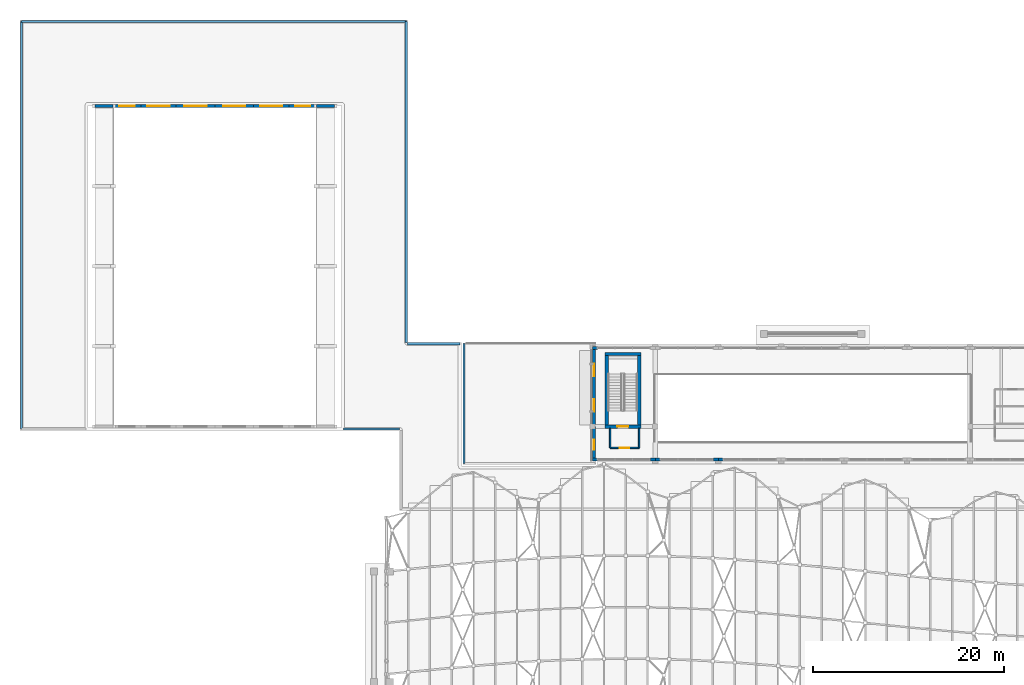
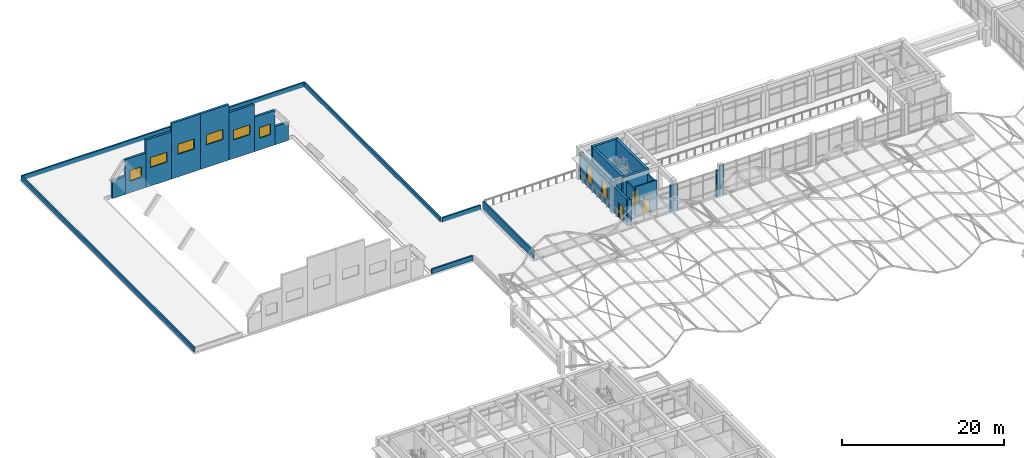
# One storey, part 55 of 79: 29 walls, 8 windows, 3 doors, 11 openings.
"""IFC4 building model written with IfcOpenShell, lengths in metres."""

import ifcopenshell
import ifcopenshell.guid

model = None  # the IFC model being written
_history = None  # IfcOwnerHistory: only IFC2X3 demands one
_inside = {}  # id of a spatial element -> (the spatial element, [elements in it])
_under = {}  # id of a project, library or spatial element -> (it, [spatial elements below it])
_declared = {}  # id of a project -> (the project, [libraries it declares])
_typed = {}  # id of a type object -> (the type object, [elements of that type])
_made_of = {}  # id of a material, layer set ... -> (it, [elements and type objects made of it])


def new_model(schema):
    """Start an empty IFC model of exactly this schema.

    Asked for "IFC4X3", IfcOpenShell would pick the latest addendum, in which some entities
    have other attributes; the version numbers below select the first issue.
    IFC2X3 requires an IfcOwnerHistory on every rooted entity: one is made here for all.
    """
    global model, _history
    if schema == "IFC4X3":
        model = ifcopenshell.file(schema_version=(4, 3, 0, 0))
    else:
        model = ifcopenshell.file(schema=schema)
    _inside.clear()
    _under.clear()
    _declared.clear()
    _typed.clear()
    _made_of.clear()
    _history = None
    if model.schema == "IFC2X3":
        org = make("IfcOrganization", Name="unknown")
        user = make(
            "IfcPersonAndOrganization",
            ThePerson=make("IfcPerson", FamilyName="unknown"),
            TheOrganization=org,
        )
        app = make(
            "IfcApplication",
            ApplicationDeveloper=org,
            Version="unknown",
            ApplicationFullName="unknown",
            ApplicationIdentifier="unknown",
        )
        _history = make(
            "IfcOwnerHistory",
            OwningUser=user,
            OwningApplication=app,
            ChangeAction="ADDED",
            CreationDate=0,
        )
    return model


def make(cls, **values):
    """One entity of the class cls with the attributes given. An attribute that is None is left unset."""
    return model.create_entity(
        cls, **{name: value for name, value in values.items() if value is not None}
    )


def rooted(cls, **values):
    """An entity with a GlobalId (a new one), such as an element, a storey or a relation."""
    return make(cls, GlobalId=ifcopenshell.guid.new(), OwnerHistory=_history, **values)


def si_unit(unit_type, name, prefix=None):
    """IfcSIUnit, for example si_unit("LENGTHUNIT", "METRE", prefix="MILLI")."""
    return make("IfcSIUnit", UnitType=unit_type, Prefix=prefix, Name=name)


def assignment(units):
    """IfcUnitAssignment: the units of a project."""
    return None if units is None else make("IfcUnitAssignment", Units=units)


def point(xyz):
    """IfcCartesianPoint."""
    return None if xyz is None else make("IfcCartesianPoint", Coordinates=xyz)


def direction(xyz):
    """IfcDirection."""
    return None if xyz is None else make("IfcDirection", DirectionRatios=xyz)


def frame(location, z_axis=None, x_axis=None):
    """IfcAxis2Placement3D, a coordinate frame: its origin and axes. An axis left out is left unset."""
    return make(
        "IfcAxis2Placement3D",
        Location=point(location),
        Axis=direction(z_axis),
        RefDirection=direction(x_axis),
    )


def frame_2d(location, x_axis=None):
    """IfcAxis2Placement2D, a coordinate frame in the plane: its origin and x axis."""
    return make(
        "IfcAxis2Placement2D", Location=point(location), RefDirection=direction(x_axis)
    )


def origin():
    """The frame at (0, 0, 0) with its axes left unset."""
    return frame((0.0, 0.0, 0.0))


def place(relative_to, where):
    """IfcLocalPlacement: puts the frame where relative to a parent placement (None: the world)."""
    return make(
        "IfcLocalPlacement", PlacementRelTo=relative_to, RelativePlacement=where
    )


def context(
    kind, dimensions, precision=None, world=None, true_north=None, identifier=None
):
    """IfcGeometricRepresentationContext, for example the 3D "Model" context."""
    return make(
        "IfcGeometricRepresentationContext",
        ContextIdentifier=identifier,
        ContextType=kind,
        CoordinateSpaceDimension=dimensions,
        Precision=precision,
        WorldCoordinateSystem=world,
        TrueNorth=true_north,
    )


def subcontext(parent, identifier, kind, view, scale=None):
    """IfcGeometricRepresentationSubContext, for example "Body" below "Model"."""
    return make(
        "IfcGeometricRepresentationSubContext",
        ContextIdentifier=identifier,
        ContextType=kind,
        ParentContext=parent,
        TargetScale=scale,
        TargetView=view,
    )


def project(units=None, contexts=None):
    """IfcProject with its units and contexts."""
    return rooted(
        "IfcProject",
        Name="project",
        RepresentationContexts=contexts,
        UnitsInContext=assignment(units),
    )


def spatial(cls, under=None, at=None, **own):
    """A site, building, storey or space (cls), placed at a placement, below another one or the project."""
    s = rooted(cls, ObjectPlacement=at, **own)
    if under is not None:
        _under.setdefault(under.id(), (under, []))[1].append(s)
    return s


def profile(cls, at=None, kind="AREA", **sizes):
    """A parametric profile (cls). Its sizes go by their IFC names, for example OverallWidth=200.0."""
    return make(cls, ProfileType=kind, Position=at, **sizes)


def rectangle(**sizes):
    """IfcRectangleProfileDef."""
    return profile("IfcRectangleProfileDef", **sizes)


def extrude(swept, where, along, depth):
    """IfcExtrudedAreaSolid: the profile swept, set in the frame where, extruded along a direction by depth."""
    return make(
        "IfcExtrudedAreaSolid",
        SweptArea=swept,
        Position=where,
        ExtrudedDirection=direction(along),
        Depth=depth,
    )


def shape(context_of_items, identifier, shape_type, items):
    """IfcShapeRepresentation: the items that make up one representation, for example the "Body"."""
    return make(
        "IfcShapeRepresentation",
        ContextOfItems=context_of_items,
        RepresentationIdentifier=identifier,
        RepresentationType=shape_type,
        Items=items,
    )


def material(Name=None, Category=None):
    """IfcMaterial."""
    return make("IfcMaterial", Name=Name, Category=Category)


def layer(
    of_material, thickness, ventilated=None, Name=None, Category=None, Priority=None
):
    """IfcMaterialLayer: one layer of a wall or slab, of a material (None: an air gap)."""
    return make(
        "IfcMaterialLayer",
        Material=of_material,
        LayerThickness=thickness,
        IsVentilated=ventilated,
        Name=Name,
        Category=Category,
        Priority=Priority,
    )


def layer_set(layers, Name=None):
    """IfcMaterialLayerSet."""
    return make("IfcMaterialLayerSet", MaterialLayers=layers, LayerSetName=Name)


def made_of(thing, what):
    """Note that an element or type object is made of a material, layer set ...; save() writes the relation."""
    if what is not None:
        _made_of.setdefault(what.id(), (what, []))[1].append(thing)
    return thing


def type_object(cls, material=None, **own):
    """A type object (cls), such as IfcWallType, which elements share."""
    return made_of(rooted(cls, **own), material)


def element(
    cls,
    number,
    at=None,
    inside=None,
    cuts=None,
    type_object=None,
    material=None,
    context=None,
    identifier="Body",
    shape_type=None,
    held_by="IfcProductDefinitionShape",
    body=None,
    shapes=None,
    **own,
):
    """One element of the class cls, such as IfcWall. Its Tag is "e" and its number.

    at: its placement. inside: the storey or other place that contains it. cuts: it is an
    opening in that element (IfcRelVoidsElement). A single representation is given by context,
    identifier, shape_type and body (its items); several are given by shapes. held_by: the class
    of the entity that holds the representations. save() writes the other relations.
    """
    e = rooted(cls, Tag="e%d" % number, ObjectPlacement=at, **own)
    if body is not None:
        shapes = [shape(context, identifier, shape_type, body)]
    if shapes is not None:
        e.Representation = make(held_by, Representations=shapes)
    if inside is not None:
        _inside.setdefault(inside.id(), (inside, []))[1].append(e)
    if cuts is not None:
        rooted(
            "IfcRelVoidsElement", RelatingBuildingElement=cuts, RelatedOpeningElement=e
        )
    if type_object is not None:
        _typed.setdefault(type_object.id(), (type_object, []))[1].append(e)
    return made_of(e, material)


def fill(opening, filler):
    """IfcRelFillsElement: the door or window that sits in an opening."""
    return rooted(
        "IfcRelFillsElement",
        RelatingOpeningElement=opening,
        RelatedBuildingElement=filler,
    )


def aggregate(whole, parts):
    """IfcRelAggregates: a whole, such as a stair, and the parts it consists of."""
    return rooted("IfcRelAggregates", RelatingObject=whole, RelatedObjects=parts)


def save(model, path):
    """Write the relations noted so far, then the file.

    IfcRelAggregates (storeys below a building ...), IfcRelContainedInSpatialStructure (elements
    in a storey), IfcRelDefinesByType, IfcRelAssociatesMaterial and IfcRelDeclares: one each for
    every whole, place, type object, material and project.
    """
    for whole, parts in _under.values():
        aggregate(whole, parts)
    for where, things in _inside.values():
        rooted(
            "IfcRelContainedInSpatialStructure",
            RelatedElements=things,
            RelatingStructure=where,
        )
    for kind, things in _typed.values():
        rooted("IfcRelDefinesByType", RelatedObjects=things, RelatingType=kind)
    for what, things in _made_of.values():
        rooted("IfcRelAssociatesMaterial", RelatedObjects=things, RelatingMaterial=what)
    for by, libraries in _declared.values():
        rooted("IfcRelDeclares", RelatingContext=by, RelatedDefinitions=libraries)
    model.write(path)


model = new_model("IFC4")

# Units and contexts
model_context = context("Model", 3, precision=1e-05, world=origin(), true_north=direction((0.0, 1.0)))
body_context = subcontext(model_context, "Body", "Model", "MODEL_VIEW")
ifc_project = project(units=[si_unit("LENGTHUNIT", "METRE"), si_unit("AREAUNIT", "SQUARE_METRE"), si_unit("VOLUMEUNIT", "CUBIC_METRE"), si_unit("PLANEANGLEUNIT", "RADIAN"), si_unit("MASSUNIT", "GRAM", prefix="KILO")], contexts=[model_context])

# Site, building, storey
site_placement = place(None, origin())
site = spatial("IfcSite", under=ifc_project, at=site_placement, CompositionType="ELEMENT")
building_placement = place(site_placement, origin())
building = spatial("IfcBuilding", under=site, at=building_placement, Name="Kolvaren Faculty of Natural Sciences", CompositionType="ELEMENT")
storey_placement = place(building_placement, frame((0.0, 0.0, 10.199951171875)))
storey = spatial("IfcBuildingStorey", under=building, at=storey_placement, Name="L02", CompositionType="ELEMENT", Elevation=10.199951171875)

# Wall, opening, door
ifc_material_1 = material(Name="Concrete C40/50", Category="concrete")
ifc_layer_1 = layer(ifc_material_1, 0.35009765625)
ifc_layer_set_1 = layer_set([ifc_layer_1], Name="Concrete C40/50")
wall_type_1 = type_object("IfcWallType", Name="CoreShearWall_350", PredefinedType="SHEAR", material=ifc_layer_set_1)
wall_1_placement = place(storey_placement, frame((60.925048828125, 75.77490234375, 0.0), z_axis=(0.0, 0.0, 1.0), x_axis=(1.0, 0.0, 0.0)))
wall_1 = element("IfcWall", 1, at=wall_1_placement, inside=storey, type_object=wall_type_1, Name="L02 CORE-C6 stair shear wall S", PredefinedType="SHEAR", context=body_context, shape_type="SweptSolid", body=[
    extrude(rectangle(XDim=3.75, YDim=0.35009765625, at=frame_2d((1.875, 0.0))), origin(), (0.0, 0.0, 1.0), 4.800048828125),
])
opening_1_placement = place(wall_1_placement, frame((1.300048828125, 0.0, 0.0)))
opening_1 = element("IfcOpeningElement", 2, at=opening_1_placement, cuts=wall_1, Name="Opening FD90", PredefinedType="OPENING", context=body_context, shape_type="SweptSolid", body=[
    extrude(rectangle(XDim=1.14990234375, YDim=2.14990234375, at=frame_2d((0.574951171875, 1.074951171875))), frame((0.0, 0.18505859375, 0.0), z_axis=(0.0, -1.0, 0.0), x_axis=(1.0, 0.0, 0.0)), (0.0, 0.0, 1.0), 0.3701171875),
])
ifc_material_2 = material(Name="Fire-rated solid-core hardwood door leaf in steel frame", Category="steel")
door_type_1 = type_object("IfcDoorType", Name="StairCoreFireDoor_1150x2150", OperationType="NOTDEFINED", PredefinedType="DOOR", material=ifc_material_2)
door_1_placement = place(opening_1_placement, origin())
door_1 = element("IfcDoor", 3, at=door_1_placement, inside=storey, type_object=door_type_1, Name="D-ST-ST-6-L02", OperationType="SINGLE_SWING_RIGHT", OverallHeight=2.14990234375, OverallWidth=1.14990234375, PredefinedType="DOOR", context=body_context, shape_type="SweptSolid", body=[
    extrude(rectangle(XDim=1.14990234375, YDim=2.14990234375, at=frame_2d((0.574951171875, 1.074951171875))), frame((0.0, 0.02490234375, 0.0), z_axis=(0.0, -1.0, 0.0), x_axis=(1.0, 0.0, 0.0)), (0.0, 0.0, 1.0), 0.050048828125),
])
fill(opening_1, door_1)

# Walls
wall_2_placement = place(storey_placement, frame((60.925048828125, 83.39990234375, 0.0), z_axis=(0.0, 0.0, 1.0), x_axis=(1.0, 0.0, 0.0)))
element("IfcWall", 4, at=wall_2_placement, inside=storey, type_object=wall_type_1, Name="L02 CORE-C6 stair shear wall N", PredefinedType="SHEAR", context=body_context, shape_type="SweptSolid", body=[
    extrude(rectangle(XDim=3.75, YDim=0.35009765625, at=frame_2d((1.875, 0.0))), origin(), (0.0, 0.0, 1.0), 4.800048828125),
])
for number, where, z_axis, x_axis, name in (
    (5, (61.10009765625, 75.949951171875, 0.0), (0.0, 0.0, 1.0), (0.0, 1.0, 0.0), "L02 CORE-C6 stair shear wall W"),
    (6, (64.5, 75.949951171875, 0.0), (0.0, 0.0, 1.0), (0.0, 1.0, 0.0), "L02 CORE-C6 stair shear wall E"),
):
    element("IfcWall", number, at=place(storey_placement, frame(where, z_axis=z_axis, x_axis=x_axis)), inside=storey, type_object=wall_type_1, Name=name, PredefinedType="SHEAR", context=body_context, shape_type="SweptSolid", body=[
        extrude(rectangle(XDim=7.275146484375, YDim=0.35009765625, at=frame_2d((3.6376953125, 0.0))), origin(), (0.0, 0.0, 1.0), 4.800048828125),
    ])
ifc_material_3 = material(Name="Sandstone-faced insulated cavity masonry", Category="masonry")
ifc_layer_2 = layer(ifc_material_3, 0.300048828125)
ifc_layer_set_2 = layer_set([ifc_layer_2], Name="Sandstone-faced insulated cavity masonry")
wall_type_2 = type_object("IfcWallType", Name="ExteriorCavityWall_300", PredefinedType="STANDARD", material=ifc_layer_set_2)
wall_3_placement = place(storey_placement, frame((73.320068359375, 72.35009765625, 0.0), z_axis=(0.0, 0.0, 1.0), x_axis=(-1.0, 0.0, 0.0)))
element("IfcWall", 7, at=wall_3_placement, inside=storey, type_object=wall_type_2, Name="L02 curtain-wall pier stub 451", PredefinedType="STANDARD", context=body_context, shape_type="SweptSolid", body=[
    extrude(rectangle(XDim=0.52001953125, YDim=0.300048828125, at=frame_2d((0.260009765625, 0.0))), origin(), (0.0, 0.0, 1.0), 4.5),
])
for number, where, z_axis, x_axis, name in (
    (8, (72.800048828125, 72.35009765625, 0.0), (0.0, 0.0, 1.0), (-1.0, 0.0, 0.0), "L02 curtain-wall pier stub 452"),
    (9, (66.719970703125, 72.35009765625, 0.0), (0.0, 0.0, 1.0), (-1.0, 0.0, 0.0), "L02 curtain-wall pier stub 453"),
    (10, (66.199951171875, 72.35009765625, 0.0), (0.0, 0.0, 1.0), (-1.0, 0.0, 0.0), "L02 curtain-wall pier stub 454"),
    (11, (60.1201171875, 72.35009765625, 0.0), (0.0, 0.0, 1.0), (-1.0, 0.0, 0.0), "L02 curtain-wall pier stub 455"),
):
    element("IfcWall", number, at=place(storey_placement, frame(where, z_axis=z_axis, x_axis=x_axis)), inside=storey, type_object=wall_type_2, Name=name, PredefinedType="STANDARD", context=body_context, shape_type="SweptSolid", body=[
        extrude(rectangle(XDim=0.52001953125, YDim=0.300048828125, at=frame_2d((0.260009765625, 0.0))), origin(), (0.0, 0.0, 1.0), 3.93505859375),
    ])

# Wall, opening, door
wall_4_placement = place(storey_placement, frame((59.75, 72.5, 0.0), z_axis=(0.0, 0.0, 1.0), x_axis=(0.0, 1.0, 0.0)))
wall_4 = element("IfcWall", 12, at=wall_4_placement, inside=storey, type_object=wall_type_2, Name="L02 exterior masonry wall EW-300 (456)", PredefinedType="STANDARD", context=body_context, shape_type="SweptSolid", body=[
    extrude(rectangle(XDim=3.300048828125, YDim=0.300048828125, at=frame_2d((1.64990234375, 0.0))), origin(), (0.0, 0.0, 1.0), 3.93505859375),
])
opening_2_placement = place(wall_4_placement, frame((0.875, 0.0, 0.0)))
opening_2 = element("IfcOpeningElement", 13, at=opening_2_placement, cuts=wall_4, Name="Opening TD-01", PredefinedType="OPENING", context=body_context, shape_type="SweptSolid", body=[
    extrude(rectangle(XDim=1.050048828125, YDim=2.199951171875, at=frame_2d((0.52490234375, 1.10009765625))), frame((0.0, 0.159912109375, 0.0), z_axis=(0.0, -1.0, 0.0), x_axis=(1.0, 0.0, 0.0)), (0.0, 0.0, 1.0), 0.320068359375),
])
ifc_material_4 = material(Name="Thermally broken anodised aluminium framing", Category="aluminium")
door_type_2 = type_object("IfcDoorType", Name="TerraceGlazedDoor_1050x2200", OperationType="NOTDEFINED", PredefinedType="DOOR", material=ifc_material_4)
door_2_placement = place(opening_2_placement, origin())
door_2 = element("IfcDoor", 14, at=door_2_placement, inside=storey, type_object=door_type_2, Name="D-L02-TR-24", OperationType="SINGLE_SWING_LEFT", OverallHeight=2.199951171875, OverallWidth=1.050048828125, PredefinedType="DOOR", context=body_context, shape_type="SweptSolid", body=[
    extrude(rectangle(XDim=1.050048828125, YDim=2.199951171875, at=frame_2d((0.52490234375, 1.10009765625))), frame((0.0, 0.02490234375, 0.0), z_axis=(0.0, -1.0, 0.0), x_axis=(1.0, 0.0, 0.0)), (0.0, 0.0, 1.0), 0.050048828125),
])
fill(opening_2, door_2)

# Wall, openings, windows
wall_5_placement = place(storey_placement, frame((59.75, 75.800048828125, 0.0), z_axis=(0.0, 0.0, 1.0), x_axis=(0.0, 1.0, 0.0)))
wall_5 = element("IfcWall", 15, at=wall_5_placement, inside=storey, type_object=wall_type_2, Name="L02 exterior masonry wall EW-300 (457)", PredefinedType="STANDARD", context=body_context, shape_type="SweptSolid", body=[
    extrude(rectangle(XDim=8.099853515625, YDim=0.300048828125, at=frame_2d((4.0498046875, 0.0))), origin(), (0.0, 0.0, 1.0), 3.93505859375),
])
opening_3_placement = place(wall_5_placement, frame((1.537109375, 0.0, 0.75)))
opening_3 = element("IfcOpeningElement", 16, at=opening_3_placement, cuts=wall_5, Name="Opening WIN-19", PredefinedType="OPENING", context=body_context, shape_type="SweptSolid", body=[
    extrude(rectangle(XDim=1.300048828125, YDim=2.39990234375, at=frame_2d((0.64990234375, 1.199951171875))), frame((0.0, 0.159912109375, 0.0), z_axis=(0.0, -1.0, 0.0), x_axis=(1.0, 0.0, 0.0)), (0.0, 0.0, 1.0), 0.320068359375),
])
opening_4_placement = place(wall_5_placement, frame((5.262939453125, 0.0, 0.75)))
opening_4 = element("IfcOpeningElement", 17, at=opening_4_placement, cuts=wall_5, Name="Opening WIN-19", PredefinedType="OPENING", context=body_context, shape_type="SweptSolid", body=[
    extrude(rectangle(XDim=1.300048828125, YDim=2.39990234375, at=frame_2d((0.64990234375, 1.199951171875))), frame((0.0, 0.159912109375, 0.0), z_axis=(0.0, -1.0, 0.0), x_axis=(1.0, 0.0, 0.0)), (0.0, 0.0, 1.0), 0.320068359375),
])
ifc_material_5 = material(Name="Double low-E solar control insulated glazing", Category="glass")
window_type_1 = type_object("IfcWindowType", Name="AluWindow_WIN19_1300x2400", PartitioningType="SINGLE_PANEL", PredefinedType="WINDOW", material=ifc_material_5)
window_1_placement = place(opening_3_placement, origin())
window_1 = element("IfcWindow", 18, at=window_1_placement, inside=storey, type_object=window_type_1, Name="WIN-L02-0298", OverallHeight=2.39990234375, OverallWidth=1.300048828125, PartitioningType="SINGLE_PANEL", PredefinedType="WINDOW", context=body_context, shape_type="SweptSolid", body=[
    extrude(rectangle(XDim=1.300048828125, YDim=2.39990234375, at=frame_2d((0.64990234375, 1.199951171875))), frame((0.0, 0.030029296875, 0.0), z_axis=(0.0, -1.0, 0.0), x_axis=(1.0, 0.0, 0.0)), (0.0, 0.0, 1.0), 0.06005859375),
])
fill(opening_3, window_1)
window_2_placement = place(opening_4_placement, origin())
window_2 = element("IfcWindow", 19, at=window_2_placement, inside=storey, type_object=window_type_1, Name="WIN-L02-0299", OverallHeight=2.39990234375, OverallWidth=1.300048828125, PartitioningType="SINGLE_PANEL", PredefinedType="WINDOW", context=body_context, shape_type="SweptSolid", body=[
    extrude(rectangle(XDim=1.300048828125, YDim=2.39990234375, at=frame_2d((0.64990234375, 1.199951171875))), frame((0.0, 0.030029296875, 0.0), z_axis=(0.0, -1.0, 0.0), x_axis=(1.0, 0.0, 0.0)), (0.0, 0.0, 1.0), 0.06005859375),
])
fill(opening_4, window_2)

# Walls
wall_6_placement = place(storey_placement, frame((59.60009765625, 84.050048828125, 0.0), z_axis=(0.0, 0.0, 1.0), x_axis=(1.0, 0.0, 0.0)))
element("IfcWall", 20, at=wall_6_placement, inside=storey, type_object=wall_type_2, Name="L02 curtain-wall pier stub 458", PredefinedType="STANDARD", context=body_context, shape_type="SweptSolid", body=[
    extrude(rectangle(XDim=0.52001953125, YDim=0.300048828125, at=frame_2d((0.260009765625, 0.0))), origin(), (0.0, 0.0, 1.0), 3.93505859375),
])
ifc_layer_3 = layer(ifc_material_1, 0.320068359375)
ifc_layer_set_3 = layer_set([ifc_layer_3], Name="Concrete C40/50")
wall_type_3 = type_object("IfcWallType", Name="LectureBearingWall_320", PredefinedType="SHEAR", material=ifc_layer_set_3)
wall_7_placement = place(storey_placement, frame((7.446044921875, 109.39990234375, -0.050048828125), z_axis=(0.0, 0.0, 1.0), x_axis=(1.0, 0.0, 0.0)))
element("IfcWall", 21, at=wall_7_placement, inside=storey, type_object=wall_type_3, Name="Lecture Theatre Pavilion Barrel Vault Shell N semicircular arch tympanum wall 2", PredefinedType="SHEAR", context=body_context, shape_type="SweptSolid", body=[
    extrude(rectangle(XDim=1.875, YDim=0.320068359375, at=frame_2d((0.9375, 0.0))), origin(), (0.0, 0.0, 1.0), 2.74951171875),
])

# Wall, opening, window
wall_8_placement = place(storey_placement, frame((9.321044921875, 109.39990234375, -0.050048828125), z_axis=(0.0, 0.0, 1.0), x_axis=(1.0, 0.0, 0.0)))
wall_8 = element("IfcWall", 22, at=wall_8_placement, inside=storey, type_object=wall_type_3, Name="Lecture Theatre Pavilion Barrel Vault Shell N semicircular arch tympanum wall 3", PredefinedType="SHEAR", context=body_context, shape_type="SweptSolid", body=[
    extrude(rectangle(XDim=2.920166015625, YDim=0.320068359375, at=frame_2d((1.4599609375, 0.0))), origin(), (0.0, 0.0, 1.0), 5.20263671875),
])
opening_5_placement = place(wall_8_placement, frame((0.66015625, 0.0, 1.776123046875)))
opening_5 = element("IfcOpeningElement", 23, at=opening_5_placement, cuts=wall_8, Name="Opening WIN-15", PredefinedType="OPENING", context=body_context, shape_type="SweptSolid", body=[
    extrude(rectangle(XDim=1.60009765625, YDim=1.60009765625, at=frame_2d((0.800048828125, 0.800048828125))), frame((0.0, 0.169921875, 0.0), z_axis=(0.0, -1.0, 0.0), x_axis=(1.0, 0.0, 0.0)), (0.0, 0.0, 1.0), 0.340087890625),
])
window_type_2 = type_object("IfcWindowType", Name="AluWindow_WIN15_1600x1600", PartitioningType="SINGLE_PANEL", PredefinedType="WINDOW", material=ifc_material_5)
window_3_placement = place(opening_5_placement, origin())
window_3 = element("IfcWindow", 24, at=window_3_placement, inside=storey, type_object=window_type_2, Name="WNT-V1-N-03", OverallHeight=1.60009765625, OverallWidth=1.60009765625, PartitioningType="SINGLE_PANEL", PredefinedType="WINDOW", context=body_context, shape_type="SweptSolid", body=[
    extrude(rectangle(XDim=1.60009765625, YDim=1.60009765625, at=frame_2d((0.800048828125, 0.800048828125))), frame((0.0, 0.030029296875, 0.0), z_axis=(0.0, -1.0, 0.0), x_axis=(1.0, 0.0, 0.0)), (0.0, 0.0, 1.0), 0.06005859375),
])
fill(opening_5, window_3)

wall_9_placement = place(storey_placement, frame((12.2412109375, 109.39990234375, -0.050048828125), z_axis=(0.0, 0.0, 1.0), x_axis=(1.0, 0.0, 0.0)))
wall_9 = element("IfcWall", 25, at=wall_9_placement, inside=storey, type_object=wall_type_3, Name="Lecture Theatre Pavilion Barrel Vault Shell N semicircular arch tympanum wall 4", PredefinedType="SHEAR", context=body_context, shape_type="SweptSolid", body=[
    extrude(rectangle(XDim=3.6796875, YDim=0.320068359375, at=frame_2d((1.83984375, 0.0))), origin(), (0.0, 0.0, 1.0), 7.1494140625),
])
opening_6_placement = place(wall_9_placement, frame((0.664794921875, 0.0, 2.799560546875)))
opening_6 = element("IfcOpeningElement", 26, at=opening_6_placement, cuts=wall_9, Name="Opening WIN-18", PredefinedType="OPENING", context=body_context, shape_type="SweptSolid", body=[
    extrude(rectangle(XDim=2.35009765625, YDim=1.5, at=frame_2d((1.175048828125, 0.75))), frame((0.0, 0.169921875, 0.0), z_axis=(0.0, -1.0, 0.0), x_axis=(1.0, 0.0, 0.0)), (0.0, 0.0, 1.0), 0.340087890625),
])
window_type_3 = type_object("IfcWindowType", Name="AluWindow_WIN18_2350x1500", PartitioningType="SINGLE_PANEL", PredefinedType="WINDOW", material=ifc_material_5)
window_4_placement = place(opening_6_placement, origin())
window_4 = element("IfcWindow", 27, at=window_4_placement, inside=storey, type_object=window_type_3, Name="WNT-V1-N-04", OverallHeight=1.5, OverallWidth=2.35009765625, PartitioningType="SINGLE_PANEL", PredefinedType="WINDOW", context=body_context, shape_type="SweptSolid", body=[
    extrude(rectangle(XDim=2.35009765625, YDim=1.5, at=frame_2d((1.175048828125, 0.75))), frame((0.0, 0.030029296875, 0.0), z_axis=(0.0, -1.0, 0.0), x_axis=(1.0, 0.0, 0.0)), (0.0, 0.0, 1.0), 0.06005859375),
])
fill(opening_6, window_4)

wall_10_placement = place(storey_placement, frame((15.9208984375, 109.39990234375, -0.050048828125), z_axis=(0.0, 0.0, 1.0), x_axis=(1.0, 0.0, 0.0)))
wall_10 = element("IfcWall", 28, at=wall_10_placement, inside=storey, type_object=wall_type_3, Name="Lecture Theatre Pavilion Barrel Vault Shell N semicircular arch tympanum wall 5", PredefinedType="SHEAR", context=body_context, shape_type="SweptSolid", body=[
    extrude(rectangle(XDim=4.0791015625, YDim=0.320068359375, at=frame_2d((2.03955078125, 0.0))), origin(), (0.0, 0.0, 1.0), 8.3994140625),
])
opening_7_placement = place(wall_10_placement, frame((0.864501953125, 0.0, 3.424560546875)))
opening_7 = element("IfcOpeningElement", 29, at=opening_7_placement, cuts=wall_10, Name="Opening WIN-18", PredefinedType="OPENING", context=body_context, shape_type="SweptSolid", body=[
    extrude(rectangle(XDim=2.35009765625, YDim=1.5, at=frame_2d((1.175048828125, 0.75))), frame((0.0, 0.169921875, 0.0), z_axis=(0.0, -1.0, 0.0), x_axis=(1.0, 0.0, 0.0)), (0.0, 0.0, 1.0), 0.340087890625),
])
window_5_placement = place(opening_7_placement, origin())
window_5 = element("IfcWindow", 30, at=window_5_placement, inside=storey, type_object=window_type_3, Name="WNT-V1-N-05", OverallHeight=1.5, OverallWidth=2.35009765625, PartitioningType="SINGLE_PANEL", PredefinedType="WINDOW", context=body_context, shape_type="SweptSolid", body=[
    extrude(rectangle(XDim=2.35009765625, YDim=1.5, at=frame_2d((1.175048828125, 0.75))), frame((0.0, 0.030029296875, 0.0), z_axis=(0.0, -1.0, 0.0), x_axis=(1.0, 0.0, 0.0)), (0.0, 0.0, 1.0), 0.06005859375),
])
fill(opening_7, window_5)

wall_11_placement = place(storey_placement, frame((20.0, 109.39990234375, -0.050048828125), z_axis=(0.0, 0.0, 1.0), x_axis=(1.0, 0.0, 0.0)))
wall_11 = element("IfcWall", 31, at=wall_11_placement, inside=storey, type_object=wall_type_3, Name="Lecture Theatre Pavilion Barrel Vault Shell N semicircular arch tympanum wall 6", PredefinedType="SHEAR", context=body_context, shape_type="SweptSolid", body=[
    extrude(rectangle(XDim=4.0791015625, YDim=0.320068359375, at=frame_2d((2.03955078125, 0.0))), origin(), (0.0, 0.0, 1.0), 8.3994140625),
])
opening_8_placement = place(wall_11_placement, frame((0.864501953125, 0.0, 3.424560546875)))
opening_8 = element("IfcOpeningElement", 32, at=opening_8_placement, cuts=wall_11, Name="Opening WIN-18", PredefinedType="OPENING", context=body_context, shape_type="SweptSolid", body=[
    extrude(rectangle(XDim=2.35009765625, YDim=1.5, at=frame_2d((1.175048828125, 0.75))), frame((0.0, 0.169921875, 0.0), z_axis=(0.0, -1.0, 0.0), x_axis=(1.0, 0.0, 0.0)), (0.0, 0.0, 1.0), 0.340087890625),
])
window_6_placement = place(opening_8_placement, origin())
window_6 = element("IfcWindow", 33, at=window_6_placement, inside=storey, type_object=window_type_3, Name="WNT-V1-N-06", OverallHeight=1.5, OverallWidth=2.35009765625, PartitioningType="SINGLE_PANEL", PredefinedType="WINDOW", context=body_context, shape_type="SweptSolid", body=[
    extrude(rectangle(XDim=2.35009765625, YDim=1.5, at=frame_2d((1.175048828125, 0.75))), frame((0.0, 0.030029296875, 0.0), z_axis=(0.0, -1.0, 0.0), x_axis=(1.0, 0.0, 0.0)), (0.0, 0.0, 1.0), 0.06005859375),
])
fill(opening_8, window_6)

wall_12_placement = place(storey_placement, frame((24.0791015625, 109.39990234375, -0.050048828125), z_axis=(0.0, 0.0, 1.0), x_axis=(1.0, 0.0, 0.0)))
wall_12 = element("IfcWall", 34, at=wall_12_placement, inside=storey, type_object=wall_type_3, Name="Lecture Theatre Pavilion Barrel Vault Shell N semicircular arch tympanum wall 7", PredefinedType="SHEAR", context=body_context, shape_type="SweptSolid", body=[
    extrude(rectangle(XDim=3.6796875, YDim=0.320068359375, at=frame_2d((1.83984375, 0.0))), origin(), (0.0, 0.0, 1.0), 7.1494140625),
])
opening_9_placement = place(wall_12_placement, frame((0.664794921875, 0.0, 2.799560546875)))
opening_9 = element("IfcOpeningElement", 35, at=opening_9_placement, cuts=wall_12, Name="Opening WIN-18", PredefinedType="OPENING", context=body_context, shape_type="SweptSolid", body=[
    extrude(rectangle(XDim=2.35009765625, YDim=1.5, at=frame_2d((1.175048828125, 0.75))), frame((0.0, 0.169921875, 0.0), z_axis=(0.0, -1.0, 0.0), x_axis=(1.0, 0.0, 0.0)), (0.0, 0.0, 1.0), 0.340087890625),
])
window_7_placement = place(opening_9_placement, origin())
window_7 = element("IfcWindow", 36, at=window_7_placement, inside=storey, type_object=window_type_3, Name="WNT-V1-N-07", OverallHeight=1.5, OverallWidth=2.35009765625, PartitioningType="SINGLE_PANEL", PredefinedType="WINDOW", context=body_context, shape_type="SweptSolid", body=[
    extrude(rectangle(XDim=2.35009765625, YDim=1.5, at=frame_2d((1.175048828125, 0.75))), frame((0.0, 0.030029296875, 0.0), z_axis=(0.0, -1.0, 0.0), x_axis=(1.0, 0.0, 0.0)), (0.0, 0.0, 1.0), 0.06005859375),
])
fill(opening_9, window_7)

wall_13_placement = place(storey_placement, frame((27.7587890625, 109.39990234375, -0.050048828125), z_axis=(0.0, 0.0, 1.0), x_axis=(1.0, 0.0, 0.0)))
wall_13 = element("IfcWall", 37, at=wall_13_placement, inside=storey, type_object=wall_type_3, Name="Lecture Theatre Pavilion Barrel Vault Shell N semicircular arch tympanum wall 8", PredefinedType="SHEAR", context=body_context, shape_type="SweptSolid", body=[
    extrude(rectangle(XDim=2.920166015625, YDim=0.320068359375, at=frame_2d((1.4599609375, 0.0))), origin(), (0.0, 0.0, 1.0), 5.20263671875),
])
opening_10_placement = place(wall_13_placement, frame((0.66015625, 0.0, 1.776123046875)))
opening_10 = element("IfcOpeningElement", 38, at=opening_10_placement, cuts=wall_13, Name="Opening WIN-15", PredefinedType="OPENING", context=body_context, shape_type="SweptSolid", body=[
    extrude(rectangle(XDim=1.60009765625, YDim=1.60009765625, at=frame_2d((0.800048828125, 0.800048828125))), frame((0.0, 0.169921875, 0.0), z_axis=(0.0, -1.0, 0.0), x_axis=(1.0, 0.0, 0.0)), (0.0, 0.0, 1.0), 0.340087890625),
])
window_8_placement = place(opening_10_placement, origin())
window_8 = element("IfcWindow", 39, at=window_8_placement, inside=storey, type_object=window_type_2, Name="WNT-V1-N-08", OverallHeight=1.60009765625, OverallWidth=1.60009765625, PartitioningType="SINGLE_PANEL", PredefinedType="WINDOW", context=body_context, shape_type="SweptSolid", body=[
    extrude(rectangle(XDim=1.60009765625, YDim=1.60009765625, at=frame_2d((0.800048828125, 0.800048828125))), frame((0.0, 0.030029296875, 0.0), z_axis=(0.0, -1.0, 0.0), x_axis=(1.0, 0.0, 0.0)), (0.0, 0.0, 1.0), 0.06005859375),
])
fill(opening_10, window_8)

# Walls
wall_14_placement = place(storey_placement, frame((30.678955078125, 109.39990234375, -0.050048828125), z_axis=(0.0, 0.0, 1.0), x_axis=(1.0, 0.0, 0.0)))
element("IfcWall", 40, at=wall_14_placement, inside=storey, type_object=wall_type_3, Name="Lecture Theatre Pavilion Barrel Vault Shell N semicircular arch tympanum wall 9", PredefinedType="SHEAR", context=body_context, shape_type="SweptSolid", body=[
    extrude(rectangle(XDim=1.875, YDim=0.320068359375, at=frame_2d((0.9375, 0.0))), origin(), (0.0, 0.0, 1.0), 2.74951171875),
])
ifc_material_6 = material(Name="Precast concrete C35/45", Category="concrete")
ifc_layer_4 = layer(ifc_material_6, 0.219970703125)
ifc_layer_set_4 = layer_set([ifc_layer_4], Name="Precast concrete C35/45")
wall_type_4 = type_object("IfcWallType", Name="ParapetUpstandWall_220", PredefinedType="PARAPET", material=ifc_layer_set_4)
wall_15_placement = place(storey_placement, frame((46.1201171875, 71.919921875, 0.0), z_axis=(0.0, 0.0, 1.0), x_axis=(0.0, 1.0, 0.0)))
element("IfcWall", 41, at=wall_15_placement, inside=storey, type_object=wall_type_4, Name="L02 terrace-to-roof guard parapet divider 1", PredefinedType="PARAPET", context=body_context, shape_type="SweptSolid", body=[
    extrude(rectangle(XDim=12.56005859375, YDim=0.219970703125, at=frame_2d((6.280029296875, 0.0))), origin(), (0.0, 0.0, 1.0), 1.1201171875),
])
wall_16_placement = place(storey_placement, frame((39.3701171875, 75.52001953125, 0.0), z_axis=(0.0, 0.0, 1.0), x_axis=(-1.0, 0.0, 0.0)))
element("IfcWall", 42, at=wall_16_placement, inside=storey, type_object=wall_type_4, Name="L02 architectural sandstone roof parapet 32", PredefinedType="PARAPET", context=body_context, shape_type="SweptSolid", body=[
    extrude(rectangle(XDim=5.8701171875, YDim=0.219970703125, at=frame_2d((2.93505859375, 0.0))), origin(), (0.0, 0.0, 1.0), 0.679931640625),
])
wall_17_placement = place(storey_placement, frame((-0.280029296875, 75.52001953125, 0.0), z_axis=(0.0, 0.0, 1.0), x_axis=(0.0, 1.0, 0.0)))
element("IfcWall", 43, at=wall_17_placement, inside=storey, type_object=wall_type_4, Name="L02 architectural sandstone roof parapet 34", PredefinedType="PARAPET", context=body_context, shape_type="SweptSolid", body=[
    extrude(rectangle(XDim=42.760009765625, YDim=0.219970703125, at=frame_2d((21.3798828125, 0.0))), origin(), (0.0, 0.0, 1.0), 0.679931640625),
])
wall_18_placement = place(storey_placement, frame((-0.280029296875, 118.280029296875, 0.0), z_axis=(0.0, 0.0, 1.0), x_axis=(1.0, 0.0, 0.0)))
element("IfcWall", 44, at=wall_18_placement, inside=storey, type_object=wall_type_4, Name="L02 architectural sandstone roof parapet 35", PredefinedType="PARAPET", context=body_context, shape_type="SweptSolid", body=[
    extrude(rectangle(XDim=40.360107421875, YDim=0.219970703125, at=frame_2d((20.18017578125, 0.0))), origin(), (0.0, 0.0, 1.0), 0.679931640625),
])
wall_19_placement = place(storey_placement, frame((40.080078125, 118.280029296875, 0.0), z_axis=(0.0, 0.0, 1.0), x_axis=(0.0, -1.0, 0.0)))
element("IfcWall", 45, at=wall_19_placement, inside=storey, type_object=wall_type_4, Name="L02 architectural sandstone roof parapet 36", PredefinedType="PARAPET", context=body_context, shape_type="SweptSolid", body=[
    extrude(rectangle(XDim=33.650146484375, YDim=0.219970703125, at=frame_2d((16.8251953125, 0.0))), origin(), (0.0, 0.0, 1.0), 0.679931640625),
])
wall_20_placement = place(storey_placement, frame((40.22998046875, 84.47998046875, 0.0), z_axis=(0.0, 0.0, 1.0), x_axis=(1.0, 0.0, 0.0)))
element("IfcWall", 46, at=wall_20_placement, inside=storey, type_object=wall_type_4, Name="L02 architectural sandstone roof parapet 37", PredefinedType="PARAPET", context=body_context, shape_type="SweptSolid", body=[
    extrude(rectangle(XDim=5.469970703125, YDim=0.219970703125, at=frame_2d((2.73486328125, 0.0))), origin(), (0.0, 0.0, 1.0), 0.679931640625),
])
ifc_material_7 = material(Name="Double fire-rated gypsum board on 100 mm steel stud", Category="steel")
ifc_layer_5 = layer(ifc_material_7, 0.14990234375)
ifc_layer_set_5 = layer_set([ifc_layer_5], Name="Double fire-rated gypsum board on 100 mm steel stud")
wall_type_5 = type_object("IfcWallType", Name="RatedCorridorWall_150", PredefinedType="PARTITIONING", material=ifc_layer_set_5)
wall_21_placement = place(storey_placement, frame((64.5, 75.597900390625, 0.0), z_axis=(0.0, 0.0, 1.0), x_axis=(0.0, -1.0, 0.0)))
element("IfcWall", 47, at=wall_21_placement, inside=storey, type_object=wall_type_5, Name="L02 interior partition LW-150", PredefinedType="PARTITIONING", context=body_context, shape_type="SweptSolid", body=[
    extrude(rectangle(XDim=2.0478515625, YDim=0.14990234375, at=frame_2d((1.02392578125, 0.0))), origin(), (0.0, 0.0, 1.0), 4.135009765625),
])

# Wall, opening, door
wall_22_placement = place(storey_placement, frame((64.5, 73.550048828125, 0.0), z_axis=(0.0, 0.0, 1.0), x_axis=(-1.0, 0.0, 0.0)))
wall_22 = element("IfcWall", 48, at=wall_22_placement, inside=storey, type_object=wall_type_5, Name="L02 interior partition LW-150", PredefinedType="PARTITIONING", context=body_context, shape_type="SweptSolid", body=[
    extrude(rectangle(XDim=3.050048828125, YDim=0.14990234375, at=frame_2d((1.52490234375, 0.0))), origin(), (0.0, 0.0, 1.0), 4.4951171875),
])
opening_11_placement = place(wall_22_placement, frame((1.02490234375, 0.0, 0.0)))
opening_11 = element("IfcOpeningElement", 49, at=opening_11_placement, cuts=wall_22, Name="Opening FD30", PredefinedType="OPENING", context=body_context, shape_type="SweptSolid", body=[
    extrude(rectangle(XDim=1.0, YDim=2.10009765625, at=frame_2d((0.5, 1.050048828125))), frame((0.0, 0.0849609375, 0.0), z_axis=(0.0, -1.0, 0.0), x_axis=(1.0, 0.0, 0.0)), (0.0, 0.0, 1.0), 0.169921875),
])
door_type_3 = type_object("IfcDoorType", Name="CorridorFireDoor_1000x2100", OperationType="NOTDEFINED", PredefinedType="DOOR", material=ifc_material_2)
door_3_placement = place(opening_11_placement, origin())
door_3 = element("IfcDoor", 50, at=door_3_placement, inside=storey, type_object=door_type_3, Name="D-L02-0175", OperationType="SINGLE_SWING_LEFT", OverallHeight=2.10009765625, OverallWidth=1.0, PredefinedType="DOOR", context=body_context, shape_type="SweptSolid", body=[
    extrude(rectangle(XDim=1.0, YDim=2.10009765625, at=frame_2d((0.5, 1.050048828125))), frame((0.0, 0.02490234375, 0.0), z_axis=(0.0, -1.0, 0.0), x_axis=(1.0, 0.0, 0.0)), (0.0, 0.0, 1.0), 0.050048828125),
])
fill(opening_11, door_3)

# Wall
wall_23_placement = place(storey_placement, frame((61.449951171875, 73.550048828125, 0.0), z_axis=(0.0, 0.0, 1.0), x_axis=(0.0, 1.0, 0.0)))
element("IfcWall", 51, at=wall_23_placement, inside=storey, type_object=wall_type_5, Name="L02 interior partition LW-150", PredefinedType="PARTITIONING", context=body_context, shape_type="SweptSolid", body=[
    extrude(rectangle(XDim=2.0478515625, YDim=0.14990234375, at=frame_2d((1.02392578125, 0.0))), origin(), (0.0, 0.0, 1.0), 4.135009765625),
])

save(model, "model.ifc")
